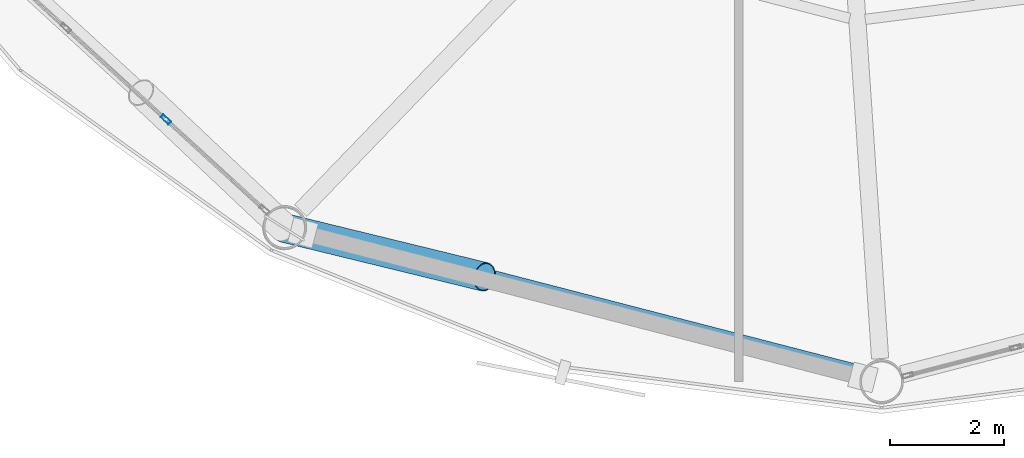
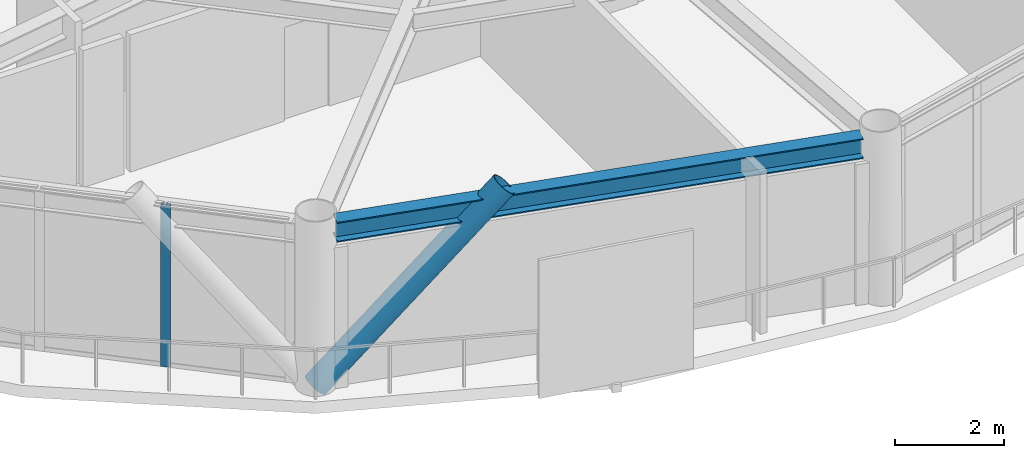
# One storey, part 3 of 27: 2 members, 1 beam, 1 element without a shape of its own.
"""IFC4 building model written with IfcOpenShell, lengths in metres."""

import ifcopenshell
import ifcopenshell.guid

model = None  # the IFC model being written
_history = None  # IfcOwnerHistory: only IFC2X3 demands one
_inside = {}  # id of a spatial element -> (the spatial element, [elements in it])
_under = {}  # id of a project, library or spatial element -> (it, [spatial elements below it])
_declared = {}  # id of a project -> (the project, [libraries it declares])
_typed = {}  # id of a type object -> (the type object, [elements of that type])
_made_of = {}  # id of a material, layer set ... -> (it, [elements and type objects made of it])


def new_model(schema):
    """Start an empty IFC model of exactly this schema.

    Asked for "IFC4X3", IfcOpenShell would pick the latest addendum, in which some entities
    have other attributes; the version numbers below select the first issue.
    IFC2X3 requires an IfcOwnerHistory on every rooted entity: one is made here for all.
    """
    global model, _history
    if schema == "IFC4X3":
        model = ifcopenshell.file(schema_version=(4, 3, 0, 0))
    else:
        model = ifcopenshell.file(schema=schema)
    _inside.clear()
    _under.clear()
    _declared.clear()
    _typed.clear()
    _made_of.clear()
    _history = None
    if model.schema == "IFC2X3":
        org = make("IfcOrganization", Name="unknown")
        user = make(
            "IfcPersonAndOrganization",
            ThePerson=make("IfcPerson", FamilyName="unknown"),
            TheOrganization=org,
        )
        app = make(
            "IfcApplication",
            ApplicationDeveloper=org,
            Version="unknown",
            ApplicationFullName="unknown",
            ApplicationIdentifier="unknown",
        )
        _history = make(
            "IfcOwnerHistory",
            OwningUser=user,
            OwningApplication=app,
            ChangeAction="ADDED",
            CreationDate=0,
        )
    return model


def make(cls, **values):
    """One entity of the class cls with the attributes given. An attribute that is None is left unset."""
    return model.create_entity(
        cls, **{name: value for name, value in values.items() if value is not None}
    )


def rooted(cls, **values):
    """An entity with a GlobalId (a new one), such as an element, a storey or a relation."""
    return make(cls, GlobalId=ifcopenshell.guid.new(), OwnerHistory=_history, **values)


def si_unit(unit_type, name, prefix=None):
    """IfcSIUnit, for example si_unit("LENGTHUNIT", "METRE", prefix="MILLI")."""
    return make("IfcSIUnit", UnitType=unit_type, Prefix=prefix, Name=name)


def assignment(units):
    """IfcUnitAssignment: the units of a project."""
    return None if units is None else make("IfcUnitAssignment", Units=units)


def point(xyz):
    """IfcCartesianPoint."""
    return None if xyz is None else make("IfcCartesianPoint", Coordinates=xyz)


def direction(xyz):
    """IfcDirection."""
    return None if xyz is None else make("IfcDirection", DirectionRatios=xyz)


def frame(location, z_axis=None, x_axis=None):
    """IfcAxis2Placement3D, a coordinate frame: its origin and axes. An axis left out is left unset."""
    return make(
        "IfcAxis2Placement3D",
        Location=point(location),
        Axis=direction(z_axis),
        RefDirection=direction(x_axis),
    )


def frame_2d(location, x_axis=None):
    """IfcAxis2Placement2D, a coordinate frame in the plane: its origin and x axis."""
    return make(
        "IfcAxis2Placement2D", Location=point(location), RefDirection=direction(x_axis)
    )


def origin():
    """The frame at (0, 0, 0) with its axes left unset."""
    return frame((0.0, 0.0, 0.0))


def origin_2d():
    """The frame at (0, 0) in the plane with its x axis left unset."""
    return frame_2d((0.0, 0.0))


def place(relative_to, where):
    """IfcLocalPlacement: puts the frame where relative to a parent placement (None: the world)."""
    return make(
        "IfcLocalPlacement", PlacementRelTo=relative_to, RelativePlacement=where
    )


def context(
    kind, dimensions, precision=None, world=None, true_north=None, identifier=None
):
    """IfcGeometricRepresentationContext, for example the 3D "Model" context."""
    return make(
        "IfcGeometricRepresentationContext",
        ContextIdentifier=identifier,
        ContextType=kind,
        CoordinateSpaceDimension=dimensions,
        Precision=precision,
        WorldCoordinateSystem=world,
        TrueNorth=true_north,
    )


def subcontext(parent, identifier, kind, view, scale=None):
    """IfcGeometricRepresentationSubContext, for example "Body" below "Model"."""
    return make(
        "IfcGeometricRepresentationSubContext",
        ContextIdentifier=identifier,
        ContextType=kind,
        ParentContext=parent,
        TargetScale=scale,
        TargetView=view,
    )


def project(units=None, contexts=None):
    """IfcProject with its units and contexts."""
    return rooted(
        "IfcProject",
        Name="project",
        RepresentationContexts=contexts,
        UnitsInContext=assignment(units),
    )


def spatial(cls, under=None, at=None, **own):
    """A site, building, storey or space (cls), placed at a placement, below another one or the project."""
    s = rooted(cls, ObjectPlacement=at, **own)
    if under is not None:
        _under.setdefault(under.id(), (under, []))[1].append(s)
    return s


def profile(cls, at=None, kind="AREA", **sizes):
    """A parametric profile (cls). Its sizes go by their IFC names, for example OverallWidth=200.0."""
    return make(cls, ProfileType=kind, Position=at, **sizes)


def hollow_rectangle(**sizes):
    """IfcRectangleHollowProfileDef."""
    return profile("IfcRectangleHollowProfileDef", **sizes)


def hollow_circle(**sizes):
    """IfcCircleHollowProfileDef."""
    return profile("IfcCircleHollowProfileDef", **sizes)


def i_section(**sizes):
    """IfcIShapeProfileDef."""
    return profile("IfcIShapeProfileDef", **sizes)


def extrude(swept, where, along, depth):
    """IfcExtrudedAreaSolid: the profile swept, set in the frame where, extruded along a direction by depth."""
    return make(
        "IfcExtrudedAreaSolid",
        SweptArea=swept,
        Position=where,
        ExtrudedDirection=direction(along),
        Depth=depth,
    )


def shape(context_of_items, identifier, shape_type, items):
    """IfcShapeRepresentation: the items that make up one representation, for example the "Body"."""
    return make(
        "IfcShapeRepresentation",
        ContextOfItems=context_of_items,
        RepresentationIdentifier=identifier,
        RepresentationType=shape_type,
        Items=items,
    )


def material(Name=None, Category=None):
    """IfcMaterial."""
    return make("IfcMaterial", Name=Name, Category=Category)


def layer(
    of_material, thickness, ventilated=None, Name=None, Category=None, Priority=None
):
    """IfcMaterialLayer: one layer of a wall or slab, of a material (None: an air gap)."""
    return make(
        "IfcMaterialLayer",
        Material=of_material,
        LayerThickness=thickness,
        IsVentilated=ventilated,
        Name=Name,
        Category=Category,
        Priority=Priority,
    )


def layer_set(layers, Name=None):
    """IfcMaterialLayerSet."""
    return make("IfcMaterialLayerSet", MaterialLayers=layers, LayerSetName=Name)


def material_profile(
    of_material, cross_section, Name=None, Category=None, Priority=None
):
    """IfcMaterialProfile: a cross section and its material."""
    return make(
        "IfcMaterialProfile",
        Name=Name,
        Material=of_material,
        Profile=cross_section,
        Priority=Priority,
        Category=Category,
    )


def profile_set(profiles, Name=None, composite=None):
    """IfcMaterialProfileSet."""
    return make(
        "IfcMaterialProfileSet",
        Name=Name,
        MaterialProfiles=profiles,
        CompositeProfile=composite,
    )


def made_of(thing, what):
    """Note that an element or type object is made of a material, layer set ...; save() writes the relation."""
    if what is not None:
        _made_of.setdefault(what.id(), (what, []))[1].append(thing)
    return thing


def type_object(cls, material=None, **own):
    """A type object (cls), such as IfcWallType, which elements share."""
    return made_of(rooted(cls, **own), material)


def element(
    cls,
    number,
    at=None,
    inside=None,
    cuts=None,
    type_object=None,
    material=None,
    context=None,
    identifier="Body",
    shape_type=None,
    held_by="IfcProductDefinitionShape",
    body=None,
    shapes=None,
    **own,
):
    """One element of the class cls, such as IfcWall. Its Tag is "e" and its number.

    at: its placement. inside: the storey or other place that contains it. cuts: it is an
    opening in that element (IfcRelVoidsElement). A single representation is given by context,
    identifier, shape_type and body (its items); several are given by shapes. held_by: the class
    of the entity that holds the representations. save() writes the other relations.
    """
    e = rooted(cls, Tag="e%d" % number, ObjectPlacement=at, **own)
    if body is not None:
        shapes = [shape(context, identifier, shape_type, body)]
    if shapes is not None:
        e.Representation = make(held_by, Representations=shapes)
    if inside is not None:
        _inside.setdefault(inside.id(), (inside, []))[1].append(e)
    if cuts is not None:
        rooted(
            "IfcRelVoidsElement", RelatingBuildingElement=cuts, RelatedOpeningElement=e
        )
    if type_object is not None:
        _typed.setdefault(type_object.id(), (type_object, []))[1].append(e)
    return made_of(e, material)


def aggregate(whole, parts):
    """IfcRelAggregates: a whole, such as a stair, and the parts it consists of."""
    return rooted("IfcRelAggregates", RelatingObject=whole, RelatedObjects=parts)


def save(model, path):
    """Write the relations noted so far, then the file.

    IfcRelAggregates (storeys below a building ...), IfcRelContainedInSpatialStructure (elements
    in a storey), IfcRelDefinesByType, IfcRelAssociatesMaterial and IfcRelDeclares: one each for
    every whole, place, type object, material and project.
    """
    for whole, parts in _under.values():
        aggregate(whole, parts)
    for where, things in _inside.values():
        rooted(
            "IfcRelContainedInSpatialStructure",
            RelatedElements=things,
            RelatingStructure=where,
        )
    for kind, things in _typed.values():
        rooted("IfcRelDefinesByType", RelatedObjects=things, RelatingType=kind)
    for what, things in _made_of.values():
        rooted("IfcRelAssociatesMaterial", RelatedObjects=things, RelatingMaterial=what)
    for by, libraries in _declared.values():
        rooted("IfcRelDeclares", RelatingContext=by, RelatedDefinitions=libraries)
    model.write(path)


model = new_model("IFC4")

# Units and contexts
model_context = context("Model", 3, precision=1e-05, world=origin(), true_north=direction((0.0, 1.0)))
body_context = subcontext(model_context, "Body", "Model", "MODEL_VIEW")
ifc_project = project(units=[si_unit("LENGTHUNIT", "METRE"), si_unit("AREAUNIT", "SQUARE_METRE"), si_unit("VOLUMEUNIT", "CUBIC_METRE"), si_unit("PLANEANGLEUNIT", "RADIAN"), si_unit("MASSUNIT", "GRAM", prefix="KILO")], contexts=[model_context])

# Site, building, storey
site_placement = place(None, origin())
site = spatial("IfcSite", under=ifc_project, at=site_placement, CompositionType="ELEMENT")
building_placement = place(site_placement, origin())
building = spatial("IfcBuilding", under=site, at=building_placement, Name="Varnakorn Sky Granary", CompositionType="ELEMENT")
storey_placement = place(building_placement, frame((0.0, 0.0, 134.39990234375)))
storey = spatial("IfcBuildingStorey", under=building, at=storey_placement, Name="L33", CompositionType="ELEMENT", Elevation=134.39990234375)

# Beam
ifc_material_1 = material(Name="Steel S355JR", Category="steel")
ifc_material_profile_1 = material_profile(ifc_material_1, i_section(OverallWidth=0.300048828125, OverallDepth=0.449951171875, WebThickness=0.013916015625, FlangeThickness=0.02587890625, at=origin_2d()), Name="HE 450 B")
ifc_profile_set_1 = profile_set([ifc_material_profile_1], Name="Steel S355JR")
beam_type = type_object("IfcBeamType", Name="BM-SPD-Z3", PredefinedType="SPANDREL", material=ifc_profile_set_1)
beam_placement = place(storey_placement, frame((-11.569580078125, -16.629150390625, 3.4150390625), z_axis=(0.968201699162, -0.250170881079, 0.0), x_axis=(0.250170881079, 0.968201699162, 0.0)))
element("IfcBeam", 1, at=beam_placement, inside=storey, type_object=beam_type, Name="Perimeter Spandrel Ring Beam RB09 L33", PredefinedType="SPANDREL", context=body_context, shape_type="SweptSolid", body=[
    extrude(i_section(OverallWidth=0.300048828125, OverallDepth=0.449951171875, WebThickness=0.013916015625, FlangeThickness=0.02587890625, at=origin_2d()), origin(), (0.0, 0.0, 1.0), 10.0341796875),
])

# Curtain wall, member
ifc_material_2 = material(Name="Anodised Bronze Aluminium Alloy 6063-T6", Category="aluminium")
ifc_layer = layer(ifc_material_2, 0.179931640625, Name="Anodised Bronze Aluminium Alloy 6063-T6")
ifc_layer_set = layer_set([ifc_layer], Name="Anodised Bronze Aluminium Alloy 6063-T6")
curtain_wall_type = type_object("IfcCurtainWallType", Name="CW-FRM-2", PredefinedType="USERDEFINED", material=ifc_layer_set)
curtain_wall_placement = place(storey_placement, origin())
curtain_wall = element("IfcCurtainWall", 2, at=curtain_wall_placement, inside=storey, type_object=curtain_wall_type, Name="Unitised Curtain Wall CW4 CW-L33-B08", ObjectType="CURTAIN WALL", PredefinedType="USERDEFINED")
ifc_material_profile_2 = material_profile(ifc_material_2, hollow_rectangle(XDim=0.070068359375, YDim=0.18505859375, WallThickness=0.00390625, at=origin_2d()), Name="ALU MULL 70x185")
ifc_profile_set_2 = profile_set([ifc_material_profile_2], Name="Anodised Bronze Aluminium Alloy 6063-T6")
member_type_1 = type_object("IfcMemberType", Name="CW-FRM-2-MULL", PredefinedType="MULLION", material=ifc_profile_set_2)
member_1_placement = place(storey_placement, frame((-14.033935546875, -14.678466796875, 0.0), z_axis=(0.0, 0.0, 1.0), x_axis=(-0.675182733871, -0.737650510664, 0.0)))
member_1 = element("IfcMember", 3, at=member_1_placement, type_object=member_type_1, Name="CW4 mullion 2", PredefinedType="MULLION", context=body_context, shape_type="SweptSolid", body=[
    extrude(hollow_rectangle(XDim=0.070068359375, YDim=0.18505859375, WallThickness=0.00390625, at=origin_2d()), origin(), (0.0, 0.0, 1.0), 3.64013671875),
])
aggregate(curtain_wall, [member_1])

# Member
ifc_material_3 = material(Name="Steel S460M", Category="steel")
ifc_material_profile_3 = material_profile(ifc_material_3, hollow_circle(Radius=0.25390625, WallThickness=0.01806640625, at=origin_2d()), Name="CHS 508x18")
ifc_profile_set_3 = profile_set([ifc_material_profile_3], Name="Steel S460M")
member_type_2 = type_object("IfcMemberType", Name="MB-DIAG-T2", PredefinedType="BRACE", material=ifc_profile_set_3)
member_2_placement = place(storey_placement, frame((-11.95751953125, -16.5791015625, 0.0), z_axis=(0.67015731036, -0.163551961547, 0.723975092973), x_axis=(0.237091578166, 0.97148730489, 0.0)))
element("IfcMember", 4, at=member_2_placement, inside=storey, type_object=member_type_2, Name="Perimeter CHS Diagrid Brace DG09 L33", PredefinedType="BRACE", context=body_context, shape_type="SweptSolid", body=[
    extrude(hollow_circle(Radius=0.25390625, WallThickness=0.01806640625, at=origin_2d()), origin(), (0.0, 0.0, 1.0), 5.235107421875),
])

save(model, "model.ifc")
